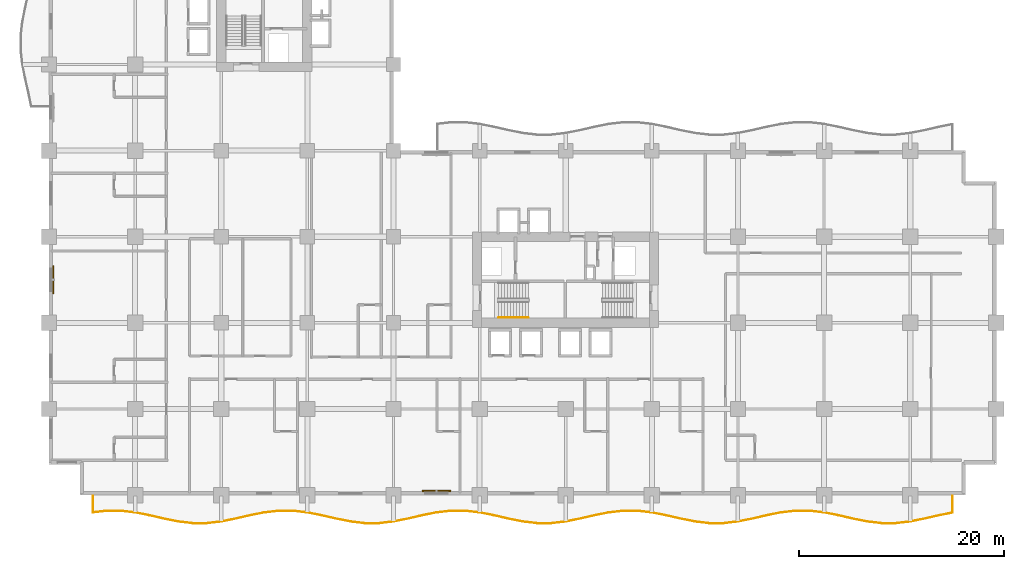
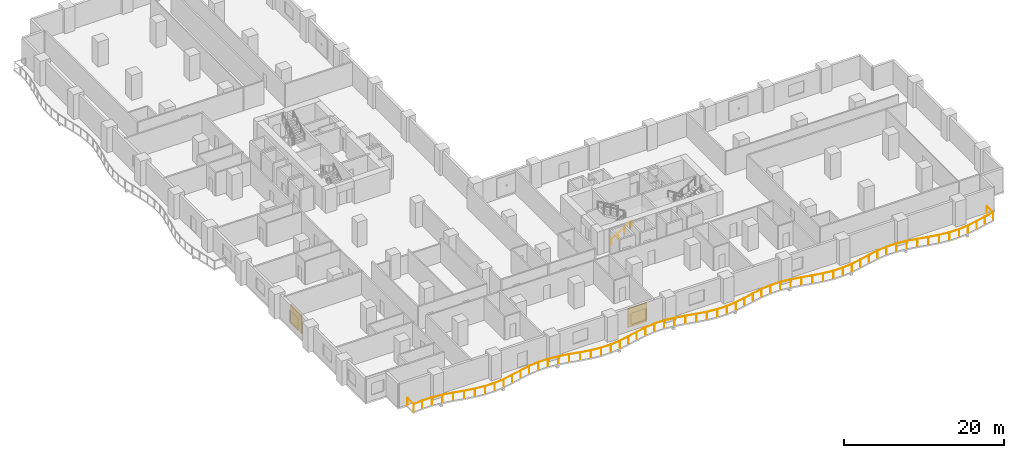
# One storey, part 17 of 20: 2 railings, 2 shading devices.
"""IFC4 building model written with IfcOpenShell, lengths in metres."""

from ifc_helpers import new_model, si_unit, direction, frame, origin, origin_2d, place, context, subcontext, project, spatial, rectangle, circle, extrude, material, layer, layer_set, type_object, element, save


model = new_model("IFC4")

# Units and contexts
model_context = context("Model", 3, precision=1e-05, world=origin(), true_north=direction((0.0, 1.0)))
body_context = subcontext(model_context, "Body", "Model", "MODEL_VIEW")
ifc_project = project(units=[si_unit("LENGTHUNIT", "METRE"), si_unit("AREAUNIT", "SQUARE_METRE"), si_unit("VOLUMEUNIT", "CUBIC_METRE"), si_unit("PLANEANGLEUNIT", "RADIAN"), si_unit("MASSUNIT", "GRAM", prefix="KILO")], contexts=[model_context])

# Site, building, storey
site_placement = place(None, origin())
site = spatial("IfcSite", under=ifc_project, at=site_placement, CompositionType="ELEMENT")
building_placement = place(site_placement, origin())
building = spatial("IfcBuilding", under=site, at=building_placement, Name="Koriwani Terraces Tower", CompositionType="ELEMENT")
storey_placement = place(building_placement, frame((0.0, 0.0, 66.199951171875)))
storey = spatial("IfcBuildingStorey", under=building, at=storey_placement, Name="L15", CompositionType="ELEMENT", Elevation=66.199951171875)

# Railings
ifc_material_1 = material(Name="Steel ASTM A572 Grade 50", Category="steel")
railing_type_1 = type_object("IfcRailingType", Name="GUARD_BALUSTRADE_1150", PredefinedType="BALUSTRADE", material=ifc_material_1)
railing_1_placement = place(storey_placement, frame((4.280029296875, -0.080078125, 0.0)))
element("IfcRailing", 1, at=railing_1_placement, inside=storey, type_object=railing_type_1, Name="L15 Balcony Perimeter Safety Balustrade (S)", PredefinedType="BALUSTRADE", context=body_context, shape_type="SweptSolid", body=[
    extrude(circle(Radius=0.02392578125, at=origin_2d()), frame((0.0, 0.0, 1.1259765625), z_axis=(0.0, -1.0, 0.0), x_axis=(1.0, 0.0, 0.0)), (0.0, 0.0, 1.0), 1.61328125),
    extrude(circle(Radius=0.02392578125, at=origin_2d()), frame((0.0, -1.61328125, 1.1259765625), z_axis=(0.993402474505, 0.11468009264, 0.0), x_axis=(-0.11468009264, 0.993402474505, 0.0)), (0.0, 0.0, 1.0), 1.32421875),
    extrude(circle(Radius=0.02392578125, at=origin_2d()), frame((1.3154296875, -1.46142578125, 1.1259765625), z_axis=(1.0, 0.0, 0.0), x_axis=(0.0, 1.0, 0.0)), (0.0, 0.0, 1.0), 1.4091796875),
    extrude(circle(Radius=0.02392578125, at=origin_2d()), frame((2.724609375, -1.46142578125, 1.1259765625), z_axis=(0.993395347306, -0.114741814309, 0.0), x_axis=(0.114741814309, 0.993395347306, 0.0)), (0.0, 0.0, 1.0), 1.4169921875),
    extrude(circle(Radius=0.02392578125, at=origin_2d()), frame((4.13232421875, -1.6240234375, 1.1259765625), z_axis=(0.980567562379, -0.196181690301, 0.0), x_axis=(0.196181690301, 0.980567562379, 0.0)), (0.0, 0.0, 1.0), 1.432373046875),
    extrude(circle(Radius=0.02392578125, at=origin_2d()), frame((5.536865234375, -1.905029296875, 1.1259765625), z_axis=(0.974325285753, -0.225144925641, 0.0), x_axis=(0.225144925641, 0.974325285753, 0.0)), (0.0, 0.0, 1.0), 1.436767578125),
    extrude(circle(Radius=0.02392578125, at=origin_2d()), frame((6.936767578125, -2.228515625, 1.1259765625), z_axis=(0.980560880312, -0.196215086073, 0.0), x_axis=(0.196215086073, 0.980560880312, 0.0)), (0.0, 0.0, 1.0), 1.42333984375),
    extrude(circle(Radius=0.02392578125, at=origin_2d()), frame((8.33251953125, -2.5078125, 1.1259765625), z_axis=(0.993387554732, -0.114809259658, 0.0), x_axis=(0.114809259658, 0.993387554732, 0.0)), (0.0, 0.0, 1.0), 1.4013671875),
    extrude(circle(Radius=0.02392578125, at=origin_2d()), frame((9.724609375, -2.668701171875, 1.1259765625), z_axis=(1.0, 0.0, 0.0), x_axis=(0.0, 1.0, 0.0)), (0.0, 0.0, 1.0), 1.390869140625),
    extrude(circle(Radius=0.02392578125, at=origin_2d()), frame((11.115478515625, -2.668701171875, 1.1259765625), z_axis=(0.993387554732, 0.114809259658, 0.0), x_axis=(-0.114809259658, 0.993387554732, 0.0)), (0.0, 0.0, 1.0), 1.4013671875),
    extrude(circle(Radius=0.02392578125, at=origin_2d()), frame((12.507568359375, -2.5078125, 1.1259765625), z_axis=(0.980554275191, 0.196248091466, 0.0), x_axis=(-0.196248091466, 0.980554275191, 0.0)), (0.0, 0.0, 1.0), 1.423095703125),
    extrude(circle(Radius=0.02392578125, at=origin_2d()), frame((13.903076171875, -2.228515625, 1.1259765625), z_axis=(0.974325285753, 0.225144925641, 0.0), x_axis=(-0.225144925641, 0.974325285753, 0.0)), (0.0, 0.0, 1.0), 1.436767578125),
    extrude(circle(Radius=0.02392578125, at=origin_2d()), frame((15.302978515625, -1.905029296875, 1.1259765625), z_axis=(0.980567562379, 0.196181690301, 0.0), x_axis=(-0.196181690301, 0.980567562379, 0.0)), (0.0, 0.0, 1.0), 1.432373046875),
    extrude(circle(Radius=0.02392578125, at=origin_2d()), frame((16.70751953125, -1.6240234375, 1.1259765625), z_axis=(0.993397614974, 0.114722179915, 0.0), x_axis=(-0.114722179915, 0.993397614974, 0.0)), (0.0, 0.0, 1.0), 1.417236328125),
    extrude(circle(Radius=0.02392578125, at=origin_2d()), frame((18.115478515625, -1.46142578125, 1.1259765625), z_axis=(1.0, 0.0, 0.0), x_axis=(0.0, 1.0, 0.0)), (0.0, 0.0, 1.0), 1.4091796875),
    extrude(circle(Radius=0.02392578125, at=origin_2d()), frame((19.524658203125, -1.46142578125, 1.1259765625), z_axis=(0.993395347306, -0.114741814309, 0.0), x_axis=(0.114741814309, 0.993395347306, 0.0)), (0.0, 0.0, 1.0), 1.4169921875),
    extrude(circle(Radius=0.02392578125, at=origin_2d()), frame((20.932373046875, -1.6240234375, 1.1259765625), z_axis=(0.980567562379, -0.196181690301, 0.0), x_axis=(0.196181690301, 0.980567562379, 0.0)), (0.0, 0.0, 1.0), 1.432373046875),
    extrude(circle(Radius=0.02392578125, at=origin_2d()), frame((22.3369140625, -1.905029296875, 1.1259765625), z_axis=(0.974325285753, -0.225144925641, 0.0), x_axis=(0.225144925641, 0.974325285753, 0.0)), (0.0, 0.0, 1.0), 1.436767578125),
    extrude(circle(Radius=0.02392578125, at=origin_2d()), frame((23.73681640625, -2.228515625, 1.1259765625), z_axis=(0.980560880312, -0.196215086073, 0.0), x_axis=(0.196215086073, 0.980560880312, 0.0)), (0.0, 0.0, 1.0), 1.42333984375),
    extrude(circle(Radius=0.02392578125, at=origin_2d()), frame((25.132568359375, -2.5078125, 1.1259765625), z_axis=(0.993387554732, -0.114809259658, 0.0), x_axis=(0.114809259658, 0.993387554732, 0.0)), (0.0, 0.0, 1.0), 1.4013671875),
    extrude(circle(Radius=0.02392578125, at=origin_2d()), frame((26.524658203125, -2.668701171875, 1.1259765625), z_axis=(1.0, 0.0, 0.0), x_axis=(0.0, 1.0, 0.0)), (0.0, 0.0, 1.0), 1.390625),
    extrude(circle(Radius=0.02392578125, at=origin_2d()), frame((27.915283203125, -2.668701171875, 1.1259765625), z_axis=(0.993387554732, 0.114809259658, 0.0), x_axis=(-0.114809259658, 0.993387554732, 0.0)), (0.0, 0.0, 1.0), 1.4013671875),
    extrude(circle(Radius=0.02392578125, at=origin_2d()), frame((29.307373046875, -2.5078125, 1.1259765625), z_axis=(0.980560880312, 0.196215086073, 0.0), x_axis=(-0.196215086073, 0.980560880312, 0.0)), (0.0, 0.0, 1.0), 1.42333984375),
    extrude(circle(Radius=0.02392578125, at=origin_2d()), frame((30.703125, -2.228515625, 1.1259765625), z_axis=(0.974325285753, 0.225144925641, 0.0), x_axis=(-0.225144925641, 0.974325285753, 0.0)), (0.0, 0.0, 1.0), 1.436767578125),
    extrude(circle(Radius=0.02392578125, at=origin_2d()), frame((32.10302734375, -1.905029296875, 1.1259765625), z_axis=(0.980567562379, 0.196181690301, 0.0), x_axis=(-0.196181690301, 0.980567562379, 0.0)), (0.0, 0.0, 1.0), 1.432373046875),
    extrude(circle(Radius=0.02392578125, at=origin_2d()), frame((33.507568359375, -1.6240234375, 1.1259765625), z_axis=(0.993395347306, 0.114741814309, 0.0), x_axis=(-0.114741814309, 0.993395347306, 0.0)), (0.0, 0.0, 1.0), 1.4169921875),
    extrude(circle(Radius=0.02392578125, at=origin_2d()), frame((34.915283203125, -1.46142578125, 1.1259765625), z_axis=(1.0, 0.0, 0.0), x_axis=(0.0, 1.0, 0.0)), (0.0, 0.0, 1.0), 1.4091796875),
    extrude(circle(Radius=0.02392578125, at=origin_2d()), frame((36.324462890625, -1.46142578125, 1.1259765625), z_axis=(0.993397614974, -0.114722179915, 0.0), x_axis=(0.114722179915, 0.993397614974, 0.0)), (0.0, 0.0, 1.0), 1.417236328125),
    extrude(circle(Radius=0.02392578125, at=origin_2d()), frame((37.732421875, -1.6240234375, 1.1259765625), z_axis=(0.980567562379, -0.196181690301, 0.0), x_axis=(0.196181690301, 0.980567562379, 0.0)), (0.0, 0.0, 1.0), 1.432373046875),
    extrude(circle(Radius=0.02392578125, at=origin_2d()), frame((39.136962890625, -1.905029296875, 1.1259765625), z_axis=(0.974325285753, -0.225144925641, 0.0), x_axis=(0.225144925641, 0.974325285753, 0.0)), (0.0, 0.0, 1.0), 1.436767578125),
    extrude(circle(Radius=0.02392578125, at=origin_2d()), frame((40.536865234375, -2.228515625, 1.1259765625), z_axis=(0.980554275191, -0.196248091466, 0.0), x_axis=(0.196248091466, 0.980554275191, 0.0)), (0.0, 0.0, 1.0), 1.423095703125),
    extrude(circle(Radius=0.02392578125, at=origin_2d()), frame((41.932373046875, -2.5078125, 1.1259765625), z_axis=(0.993387554732, -0.114809259658, 0.0), x_axis=(0.114809259658, 0.993387554732, 0.0)), (0.0, 0.0, 1.0), 1.4013671875),
    extrude(circle(Radius=0.02392578125, at=origin_2d()), frame((43.324462890625, -2.668701171875, 1.1259765625), z_axis=(1.0, 0.0, 0.0), x_axis=(0.0, 1.0, 0.0)), (0.0, 0.0, 1.0), 1.390869140625),
    extrude(circle(Radius=0.02392578125, at=origin_2d()), frame((44.71533203125, -2.668701171875, 1.1259765625), z_axis=(0.993387554732, 0.114809259658, 0.0), x_axis=(-0.114809259658, 0.993387554732, 0.0)), (0.0, 0.0, 1.0), 1.4013671875),
    extrude(circle(Radius=0.02392578125, at=origin_2d()), frame((46.107421875, -2.5078125, 1.1259765625), z_axis=(0.980560880312, 0.196215086073, 0.0), x_axis=(-0.196215086073, 0.980560880312, 0.0)), (0.0, 0.0, 1.0), 1.42333984375),
    extrude(circle(Radius=0.02392578125, at=origin_2d()), frame((47.503173828125, -2.228515625, 1.1259765625), z_axis=(0.974325285753, 0.225144925641, 0.0), x_axis=(-0.225144925641, 0.974325285753, 0.0)), (0.0, 0.0, 1.0), 1.436767578125),
    extrude(circle(Radius=0.02392578125, at=origin_2d()), frame((48.903076171875, -1.905029296875, 1.1259765625), z_axis=(0.980567562379, 0.196181690301, 0.0), x_axis=(-0.196181690301, 0.980567562379, 0.0)), (0.0, 0.0, 1.0), 1.432373046875),
    extrude(circle(Radius=0.02392578125, at=origin_2d()), frame((50.3076171875, -1.6240234375, 1.1259765625), z_axis=(0.993395347306, 0.114741814309, 0.0), x_axis=(-0.114741814309, 0.993395347306, 0.0)), (0.0, 0.0, 1.0), 1.4169921875),
    extrude(circle(Radius=0.02392578125, at=origin_2d()), frame((51.71533203125, -1.46142578125, 1.1259765625), z_axis=(1.0, 0.0, 0.0), x_axis=(0.0, 1.0, 0.0)), (0.0, 0.0, 1.0), 1.4091796875),
    extrude(circle(Radius=0.02392578125, at=origin_2d()), frame((53.12451171875, -1.46142578125, 1.1259765625), z_axis=(0.993397614974, -0.114722179915, 0.0), x_axis=(0.114722179915, 0.993397614974, 0.0)), (0.0, 0.0, 1.0), 1.417236328125),
    extrude(circle(Radius=0.02392578125, at=origin_2d()), frame((54.532470703125, -1.6240234375, 1.1259765625), z_axis=(0.980561000791, -0.19621448399, 0.0), x_axis=(0.19621448399, 0.980561000791, 0.0)), (0.0, 0.0, 1.0), 1.43212890625),
    extrude(circle(Radius=0.02392578125, at=origin_2d()), frame((55.936767578125, -1.905029296875, 1.1259765625), z_axis=(0.974333896935, -0.225107657095, 0.0), x_axis=(0.225107657095, 0.974333896935, 0.0)), (0.0, 0.0, 1.0), 1.43701171875),
    extrude(circle(Radius=0.02392578125, at=origin_2d()), frame((57.3369140625, -2.228515625, 1.1259765625), z_axis=(0.980554275191, -0.196248091466, 0.0), x_axis=(0.196248091466, 0.980554275191, 0.0)), (0.0, 0.0, 1.0), 1.423095703125),
    extrude(circle(Radius=0.02392578125, at=origin_2d()), frame((58.732421875, -2.5078125, 1.1259765625), z_axis=(0.993387554732, -0.114809259658, 0.0), x_axis=(0.114809259658, 0.993387554732, 0.0)), (0.0, 0.0, 1.0), 1.4013671875),
    extrude(circle(Radius=0.02392578125, at=origin_2d()), frame((60.12451171875, -2.668701171875, 1.1259765625), z_axis=(1.0, 0.0, 0.0), x_axis=(0.0, 1.0, 0.0)), (0.0, 0.0, 1.0), 1.390869140625),
    extrude(circle(Radius=0.02392578125, at=origin_2d()), frame((61.515380859375, -2.668701171875, 1.1259765625), z_axis=(0.993387554732, 0.114809259658, 0.0), x_axis=(-0.114809259658, 0.993387554732, 0.0)), (0.0, 0.0, 1.0), 1.4013671875),
    extrude(circle(Radius=0.02392578125, at=origin_2d()), frame((62.907470703125, -2.5078125, 1.1259765625), z_axis=(0.980554275191, 0.196248091466, 0.0), x_axis=(-0.196248091466, 0.980554275191, 0.0)), (0.0, 0.0, 1.0), 1.423095703125),
    extrude(circle(Radius=0.02392578125, at=origin_2d()), frame((64.302978515625, -2.228515625, 1.1259765625), z_axis=(0.974333896935, 0.225107657095, 0.0), x_axis=(-0.225107657095, 0.974333896935, 0.0)), (0.0, 0.0, 1.0), 1.43701171875),
    extrude(circle(Radius=0.02392578125, at=origin_2d()), frame((65.703125, -1.905029296875, 1.1259765625), z_axis=(0.980567562379, 0.196181690301, 0.0), x_axis=(-0.196181690301, 0.980567562379, 0.0)), (0.0, 0.0, 1.0), 1.432373046875),
    extrude(circle(Radius=0.02392578125, at=origin_2d()), frame((67.107666015625, -1.6240234375, 1.1259765625), z_axis=(0.993395347306, 0.114741814309, 0.0), x_axis=(-0.114741814309, 0.993395347306, 0.0)), (0.0, 0.0, 1.0), 1.4169921875),
    extrude(circle(Radius=0.02392578125, at=origin_2d()), frame((68.515380859375, -1.46142578125, 1.1259765625), z_axis=(1.0, 0.0, 0.0), x_axis=(0.0, 1.0, 0.0)), (0.0, 0.0, 1.0), 1.4091796875),
    extrude(circle(Radius=0.02392578125, at=origin_2d()), frame((69.924560546875, -1.46142578125, 1.1259765625), z_axis=(0.993395347306, -0.114741814309, 0.0), x_axis=(0.114741814309, 0.993395347306, 0.0)), (0.0, 0.0, 1.0), 1.4169921875),
    extrude(circle(Radius=0.02392578125, at=origin_2d()), frame((71.332275390625, -1.6240234375, 1.1259765625), z_axis=(0.980567562379, -0.196181690301, 0.0), x_axis=(0.196181690301, 0.980567562379, 0.0)), (0.0, 0.0, 1.0), 1.432373046875),
    extrude(circle(Radius=0.02392578125, at=origin_2d()), frame((72.73681640625, -1.905029296875, 1.1259765625), z_axis=(0.974333896935, -0.225107657095, 0.0), x_axis=(0.225107657095, 0.974333896935, 0.0)), (0.0, 0.0, 1.0), 1.43701171875),
    extrude(circle(Radius=0.02392578125, at=origin_2d()), frame((74.136962890625, -2.228515625, 1.1259765625), z_axis=(0.980554275191, -0.196248091466, 0.0), x_axis=(0.196248091466, 0.980554275191, 0.0)), (0.0, 0.0, 1.0), 1.423095703125),
    extrude(circle(Radius=0.02392578125, at=origin_2d()), frame((75.532470703125, -2.5078125, 1.1259765625), z_axis=(0.993387554732, -0.114809259658, 0.0), x_axis=(0.114809259658, 0.993387554732, 0.0)), (0.0, 0.0, 1.0), 1.4013671875),
    extrude(circle(Radius=0.02392578125, at=origin_2d()), frame((76.924560546875, -2.668701171875, 1.1259765625), z_axis=(1.0, 0.0, 0.0), x_axis=(0.0, 1.0, 0.0)), (0.0, 0.0, 1.0), 1.390869140625),
    extrude(circle(Radius=0.02392578125, at=origin_2d()), frame((78.3154296875, -2.668701171875, 1.1259765625), z_axis=(0.993387554732, 0.114809259658, 0.0), x_axis=(-0.114809259658, 0.993387554732, 0.0)), (0.0, 0.0, 1.0), 1.4013671875),
    extrude(circle(Radius=0.02392578125, at=origin_2d()), frame((79.70751953125, -2.5078125, 1.1259765625), z_axis=(0.980554275191, 0.196248091466, 0.0), x_axis=(-0.196248091466, 0.980554275191, 0.0)), (0.0, 0.0, 1.0), 1.423095703125),
    extrude(circle(Radius=0.02392578125, at=origin_2d()), frame((81.10302734375, -2.228515625, 1.1259765625), z_axis=(0.974333896935, 0.225107657095, 0.0), x_axis=(-0.225107657095, 0.974333896935, 0.0)), (0.0, 0.0, 1.0), 1.43701171875),
    extrude(circle(Radius=0.02392578125, at=origin_2d()), frame((82.503173828125, -1.905029296875, 1.1259765625), z_axis=(0.980553117747, 0.196253874553, 0.0), x_axis=(-0.196253874553, 0.980553117747, 0.0)), (0.0, 0.0, 1.0), 1.363525390625),
    extrude(circle(Radius=0.02392578125, at=origin_2d()), frame((83.840087890625, -1.637451171875, 1.1259765625), z_axis=(0.0, 1.0, 0.0), x_axis=(-1.0, 0.0, 0.0)), (0.0, 0.0, 1.0), 1.637451171875),
    extrude(circle(Radius=0.02099609375, at=origin_2d()), origin(), (0.0, 0.0, 1.0), 1.101806640625),
    extrude(circle(Radius=0.02099609375, at=origin_2d()), frame((0.0, -1.61328125, 0.0)), (0.0, 0.0, 1.0), 1.101806640625),
    extrude(circle(Radius=0.02099609375, at=origin_2d()), frame((1.3154296875, -1.46142578125, 0.0)), (0.0, 0.0, 1.0), 1.101806640625),
    extrude(circle(Radius=0.02099609375, at=origin_2d()), frame((2.724609375, -1.46142578125, 0.0)), (0.0, 0.0, 1.0), 1.101806640625),
    extrude(circle(Radius=0.02099609375, at=origin_2d()), frame((4.13232421875, -1.6240234375, 0.0)), (0.0, 0.0, 1.0), 1.101806640625),
    extrude(circle(Radius=0.02099609375, at=origin_2d()), frame((5.536865234375, -1.905029296875, 0.0)), (0.0, 0.0, 1.0), 1.101806640625),
    extrude(circle(Radius=0.02099609375, at=origin_2d()), frame((6.936767578125, -2.228515625, 0.0)), (0.0, 0.0, 1.0), 1.101806640625),
    extrude(circle(Radius=0.02099609375, at=origin_2d()), frame((8.33251953125, -2.5078125, 0.0)), (0.0, 0.0, 1.0), 1.101806640625),
    extrude(circle(Radius=0.02099609375, at=origin_2d()), frame((9.724609375, -2.668701171875, 0.0)), (0.0, 0.0, 1.0), 1.101806640625),
    extrude(circle(Radius=0.02099609375, at=origin_2d()), frame((11.115478515625, -2.668701171875, 0.0)), (0.0, 0.0, 1.0), 1.101806640625),
    extrude(circle(Radius=0.02099609375, at=origin_2d()), frame((12.507568359375, -2.5078125, 0.0)), (0.0, 0.0, 1.0), 1.101806640625),
    extrude(circle(Radius=0.02099609375, at=origin_2d()), frame((13.903076171875, -2.228515625, 0.0)), (0.0, 0.0, 1.0), 1.101806640625),
    extrude(circle(Radius=0.02099609375, at=origin_2d()), frame((15.302978515625, -1.905029296875, 0.0)), (0.0, 0.0, 1.0), 1.101806640625),
    extrude(circle(Radius=0.02099609375, at=origin_2d()), frame((16.70751953125, -1.6240234375, 0.0)), (0.0, 0.0, 1.0), 1.101806640625),
    extrude(circle(Radius=0.02099609375, at=origin_2d()), frame((18.115478515625, -1.46142578125, 0.0)), (0.0, 0.0, 1.0), 1.101806640625),
    extrude(circle(Radius=0.02099609375, at=origin_2d()), frame((19.524658203125, -1.46142578125, 0.0)), (0.0, 0.0, 1.0), 1.101806640625),
    extrude(circle(Radius=0.02099609375, at=origin_2d()), frame((20.932373046875, -1.6240234375, 0.0)), (0.0, 0.0, 1.0), 1.101806640625),
    extrude(circle(Radius=0.02099609375, at=origin_2d()), frame((22.3369140625, -1.905029296875, 0.0)), (0.0, 0.0, 1.0), 1.101806640625),
    extrude(circle(Radius=0.02099609375, at=origin_2d()), frame((23.73681640625, -2.228515625, 0.0)), (0.0, 0.0, 1.0), 1.101806640625),
    extrude(circle(Radius=0.02099609375, at=origin_2d()), frame((25.132568359375, -2.5078125, 0.0)), (0.0, 0.0, 1.0), 1.101806640625),
    extrude(circle(Radius=0.02099609375, at=origin_2d()), frame((26.524658203125, -2.668701171875, 0.0)), (0.0, 0.0, 1.0), 1.101806640625),
    extrude(circle(Radius=0.02099609375, at=origin_2d()), frame((27.915283203125, -2.668701171875, 0.0)), (0.0, 0.0, 1.0), 1.101806640625),
    extrude(circle(Radius=0.02099609375, at=origin_2d()), frame((29.307373046875, -2.5078125, 0.0)), (0.0, 0.0, 1.0), 1.101806640625),
    extrude(circle(Radius=0.02099609375, at=origin_2d()), frame((30.703125, -2.228515625, 0.0)), (0.0, 0.0, 1.0), 1.101806640625),
    extrude(circle(Radius=0.02099609375, at=origin_2d()), frame((32.10302734375, -1.905029296875, 0.0)), (0.0, 0.0, 1.0), 1.101806640625),
    extrude(circle(Radius=0.02099609375, at=origin_2d()), frame((33.507568359375, -1.6240234375, 0.0)), (0.0, 0.0, 1.0), 1.101806640625),
    extrude(circle(Radius=0.02099609375, at=origin_2d()), frame((34.915283203125, -1.46142578125, 0.0)), (0.0, 0.0, 1.0), 1.101806640625),
    extrude(circle(Radius=0.02099609375, at=origin_2d()), frame((36.324462890625, -1.46142578125, 0.0)), (0.0, 0.0, 1.0), 1.101806640625),
    extrude(circle(Radius=0.02099609375, at=origin_2d()), frame((37.732421875, -1.6240234375, 0.0)), (0.0, 0.0, 1.0), 1.101806640625),
    extrude(circle(Radius=0.02099609375, at=origin_2d()), frame((39.136962890625, -1.905029296875, 0.0)), (0.0, 0.0, 1.0), 1.101806640625),
    extrude(circle(Radius=0.02099609375, at=origin_2d()), frame((40.536865234375, -2.228515625, 0.0)), (0.0, 0.0, 1.0), 1.101806640625),
    extrude(circle(Radius=0.02099609375, at=origin_2d()), frame((41.932373046875, -2.5078125, 0.0)), (0.0, 0.0, 1.0), 1.101806640625),
    extrude(circle(Radius=0.02099609375, at=origin_2d()), frame((43.324462890625, -2.668701171875, 0.0)), (0.0, 0.0, 1.0), 1.101806640625),
    extrude(circle(Radius=0.02099609375, at=origin_2d()), frame((44.71533203125, -2.668701171875, 0.0)), (0.0, 0.0, 1.0), 1.101806640625),
    extrude(circle(Radius=0.02099609375, at=origin_2d()), frame((46.107421875, -2.5078125, 0.0)), (0.0, 0.0, 1.0), 1.101806640625),
    extrude(circle(Radius=0.02099609375, at=origin_2d()), frame((47.503173828125, -2.228515625, 0.0)), (0.0, 0.0, 1.0), 1.101806640625),
    extrude(circle(Radius=0.02099609375, at=origin_2d()), frame((48.903076171875, -1.905029296875, 0.0)), (0.0, 0.0, 1.0), 1.101806640625),
    extrude(circle(Radius=0.02099609375, at=origin_2d()), frame((50.3076171875, -1.6240234375, 0.0)), (0.0, 0.0, 1.0), 1.101806640625),
    extrude(circle(Radius=0.02099609375, at=origin_2d()), frame((51.71533203125, -1.46142578125, 0.0)), (0.0, 0.0, 1.0), 1.101806640625),
    extrude(circle(Radius=0.02099609375, at=origin_2d()), frame((53.12451171875, -1.46142578125, 0.0)), (0.0, 0.0, 1.0), 1.101806640625),
    extrude(circle(Radius=0.02099609375, at=origin_2d()), frame((54.532470703125, -1.6240234375, 0.0)), (0.0, 0.0, 1.0), 1.101806640625),
    extrude(circle(Radius=0.02099609375, at=origin_2d()), frame((55.936767578125, -1.905029296875, 0.0)), (0.0, 0.0, 1.0), 1.101806640625),
    extrude(circle(Radius=0.02099609375, at=origin_2d()), frame((57.3369140625, -2.228515625, 0.0)), (0.0, 0.0, 1.0), 1.101806640625),
    extrude(circle(Radius=0.02099609375, at=origin_2d()), frame((58.732421875, -2.5078125, 0.0)), (0.0, 0.0, 1.0), 1.101806640625),
    extrude(circle(Radius=0.02099609375, at=origin_2d()), frame((60.12451171875, -2.668701171875, 0.0)), (0.0, 0.0, 1.0), 1.101806640625),
    extrude(circle(Radius=0.02099609375, at=origin_2d()), frame((61.515380859375, -2.668701171875, 0.0)), (0.0, 0.0, 1.0), 1.101806640625),
    extrude(circle(Radius=0.02099609375, at=origin_2d()), frame((62.907470703125, -2.5078125, 0.0)), (0.0, 0.0, 1.0), 1.101806640625),
    extrude(circle(Radius=0.02099609375, at=origin_2d()), frame((64.302978515625, -2.228515625, 0.0)), (0.0, 0.0, 1.0), 1.101806640625),
    extrude(circle(Radius=0.02099609375, at=origin_2d()), frame((65.703125, -1.905029296875, 0.0)), (0.0, 0.0, 1.0), 1.101806640625),
    extrude(circle(Radius=0.02099609375, at=origin_2d()), frame((67.107666015625, -1.6240234375, 0.0)), (0.0, 0.0, 1.0), 1.101806640625),
    extrude(circle(Radius=0.02099609375, at=origin_2d()), frame((68.515380859375, -1.46142578125, 0.0)), (0.0, 0.0, 1.0), 1.101806640625),
    extrude(circle(Radius=0.02099609375, at=origin_2d()), frame((69.924560546875, -1.46142578125, 0.0)), (0.0, 0.0, 1.0), 1.101806640625),
    extrude(circle(Radius=0.02099609375, at=origin_2d()), frame((71.332275390625, -1.6240234375, 0.0)), (0.0, 0.0, 1.0), 1.101806640625),
    extrude(circle(Radius=0.02099609375, at=origin_2d()), frame((72.73681640625, -1.905029296875, 0.0)), (0.0, 0.0, 1.0), 1.101806640625),
    extrude(circle(Radius=0.02099609375, at=origin_2d()), frame((74.136962890625, -2.228515625, 0.0)), (0.0, 0.0, 1.0), 1.101806640625),
    extrude(circle(Radius=0.02099609375, at=origin_2d()), frame((75.532470703125, -2.5078125, 0.0)), (0.0, 0.0, 1.0), 1.101806640625),
    extrude(circle(Radius=0.02099609375, at=origin_2d()), frame((76.924560546875, -2.668701171875, 0.0)), (0.0, 0.0, 1.0), 1.101806640625),
    extrude(circle(Radius=0.02099609375, at=origin_2d()), frame((78.3154296875, -2.668701171875, 0.0)), (0.0, 0.0, 1.0), 1.101806640625),
    extrude(circle(Radius=0.02099609375, at=origin_2d()), frame((79.70751953125, -2.5078125, 0.0)), (0.0, 0.0, 1.0), 1.101806640625),
    extrude(circle(Radius=0.02099609375, at=origin_2d()), frame((81.10302734375, -2.228515625, 0.0)), (0.0, 0.0, 1.0), 1.101806640625),
    extrude(circle(Radius=0.02099609375, at=origin_2d()), frame((82.503173828125, -1.905029296875, 0.0)), (0.0, 0.0, 1.0), 1.101806640625),
    extrude(circle(Radius=0.02099609375, at=origin_2d()), frame((83.840087890625, -1.637451171875, 0.0)), (0.0, 0.0, 1.0), 1.101806640625),
    extrude(circle(Radius=0.02099609375, at=origin_2d()), frame((83.840087890625, 0.0, 0.0)), (0.0, 0.0, 1.0), 1.101806640625),
])
railing_type_2 = type_object("IfcRailingType", Name="HANDRAIL_STAIR_920", PredefinedType="HANDRAIL", material=ifc_material_1)
railing_2_placement = place(storey_placement, frame((43.85009765625, 17.300048828125, 0.1728515625)))
element("IfcRailing", 2, at=railing_2_placement, inside=storey, type_object=railing_type_2, Name="L15 ST-E1 stair handrail 1", PredefinedType="HANDRAIL", context=body_context, shape_type="SweptSolid", body=[
    extrude(circle(Radius=0.02392578125, at=origin_2d()), frame((0.0, 0.0, 0.8759765625), z_axis=(0.859141464434, 0.0, 0.511738159696), x_axis=(0.0, 1.0, 0.0)), (0.0, 0.0, 1.0), 3.375244140625),
    extrude(circle(Radius=0.02099609375, at=origin_2d()), origin(), (0.0, 0.0, 1.0), 0.851806640625),
    extrude(circle(Radius=0.02099609375, at=origin_2d()), frame((0.966552734375, 0.0, 0.57568359375)), (0.0, 0.0, 1.0), 0.851806640625),
    extrude(circle(Radius=0.02099609375, at=origin_2d()), frame((1.933349609375, 0.0, 1.151611328125)), (0.0, 0.0, 1.0), 0.851806640625),
    extrude(circle(Radius=0.02099609375, at=origin_2d()), frame((2.89990234375, 0.0, 1.727294921875)), (0.0, 0.0, 1.0), 0.851806640625),
])

# Shading devices
ifc_material_2 = material(Name="Extruded Terracotta Clay", Category="masonry")
ifc_layer = layer(ifc_material_2, 0.1201171875, Name="Extruded Terracotta Clay")
ifc_layer_set = layer_set([ifc_layer], Name="Extruded Terracotta Clay")
shading_device_type = type_object("IfcShadingDeviceType", Name="TERRACOTTA_BAGUETTE_SCREEN_2800", PredefinedType="USERDEFINED", material=ifc_layer_set)
for number, where, z_axis, x_axis, name in (
    (3, (0.405029296875, 21.0, 0.3251953125), (0.0, 0.0, 1.0), (0.0, 1.0, 0.0), "L15 Extruded Terracotta Baguette Screen (W-6)"),
    (4, (37.800048828125, 0.405029296875, 0.3251953125), (0.0, 0.0, 1.0), (-1.0, 0.0, 0.0), "L15 Extruded Terracotta Baguette Screen (S-12)"),
):
    element("IfcShadingDevice", number, at=place(storey_placement, frame(where, z_axis=z_axis, x_axis=x_axis)), inside=storey, type_object=shading_device_type, Name=name, ObjectType="BAGUETTE", PredefinedType="USERDEFINED", context=body_context, shape_type="SweptSolid", body=[
        extrude(rectangle(XDim=2.760009765625, YDim=0.1201171875, at=origin_2d()), origin(), (0.0, 0.0, 1.0), 2.89990234375),
    ])

save(model, "model.ifc")
